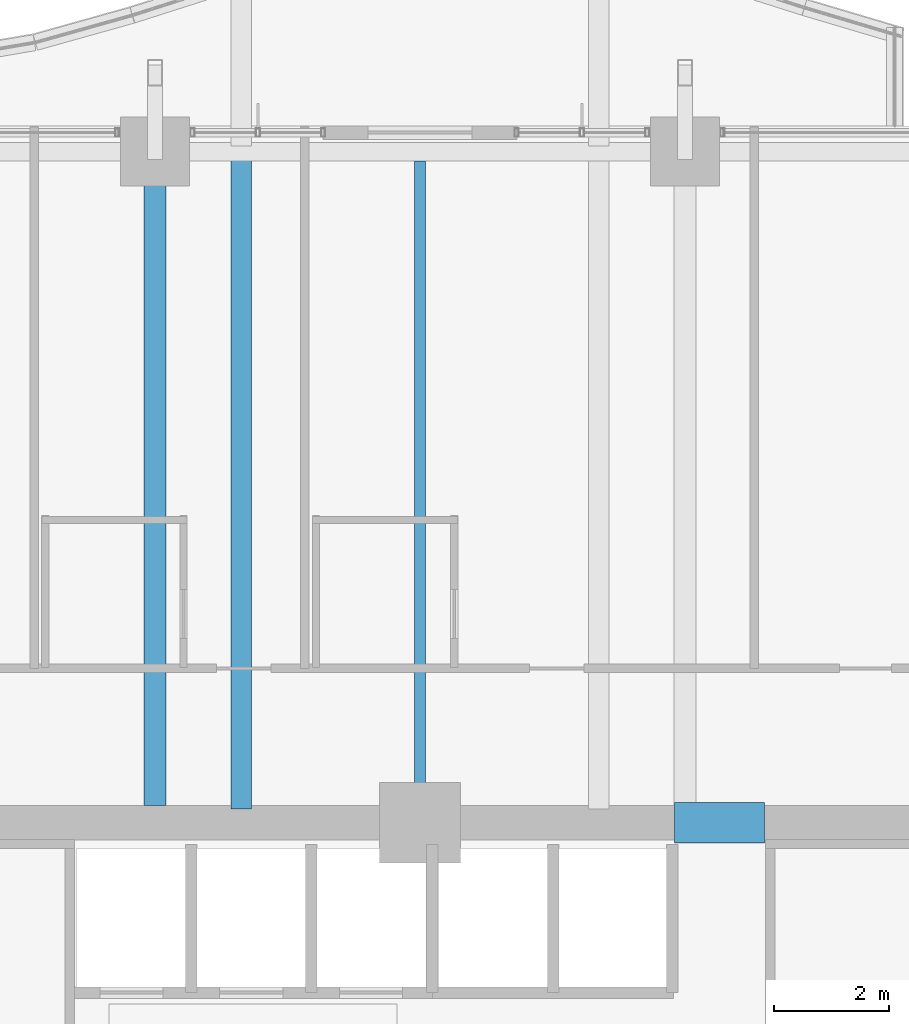
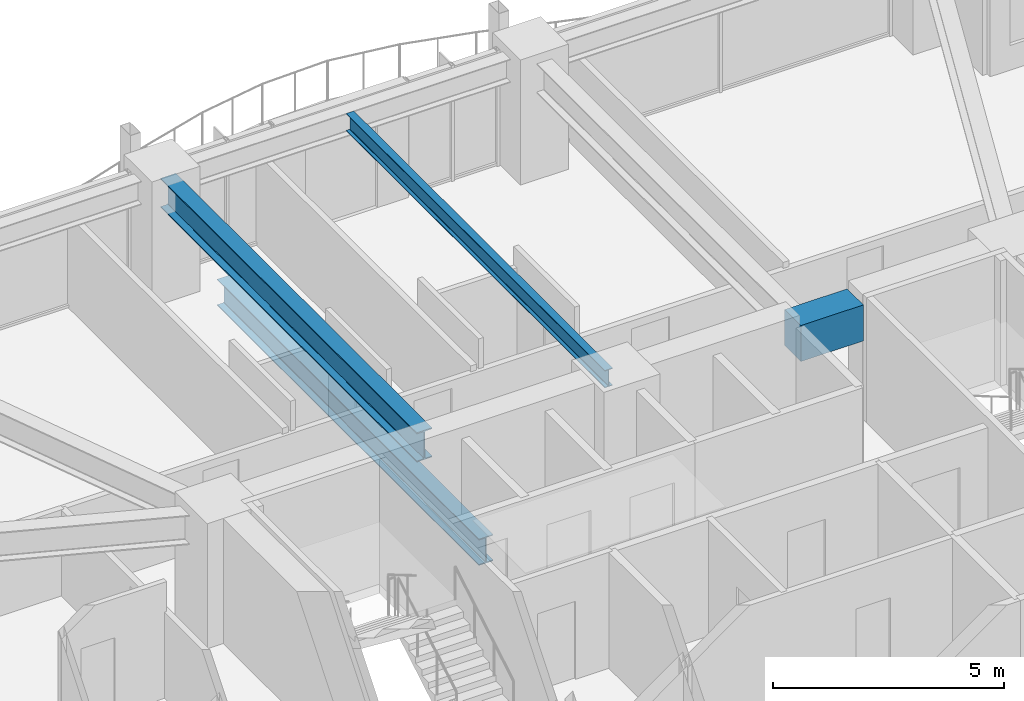
# One storey, part 19 of 38: 4 beams.
"""IFC4 building model written with IfcOpenShell, lengths in metres."""

import ifcopenshell
import ifcopenshell.guid

model = None  # the IFC model being written
_history = None  # IfcOwnerHistory: only IFC2X3 demands one
_inside = {}  # id of a spatial element -> (the spatial element, [elements in it])
_under = {}  # id of a project, library or spatial element -> (it, [spatial elements below it])
_declared = {}  # id of a project -> (the project, [libraries it declares])
_typed = {}  # id of a type object -> (the type object, [elements of that type])
_made_of = {}  # id of a material, layer set ... -> (it, [elements and type objects made of it])


def new_model(schema):
    """Start an empty IFC model of exactly this schema.

    Asked for "IFC4X3", IfcOpenShell would pick the latest addendum, in which some entities
    have other attributes; the version numbers below select the first issue.
    IFC2X3 requires an IfcOwnerHistory on every rooted entity: one is made here for all.
    """
    global model, _history
    if schema == "IFC4X3":
        model = ifcopenshell.file(schema_version=(4, 3, 0, 0))
    else:
        model = ifcopenshell.file(schema=schema)
    _inside.clear()
    _under.clear()
    _declared.clear()
    _typed.clear()
    _made_of.clear()
    _history = None
    if model.schema == "IFC2X3":
        org = make("IfcOrganization", Name="unknown")
        user = make(
            "IfcPersonAndOrganization",
            ThePerson=make("IfcPerson", FamilyName="unknown"),
            TheOrganization=org,
        )
        app = make(
            "IfcApplication",
            ApplicationDeveloper=org,
            Version="unknown",
            ApplicationFullName="unknown",
            ApplicationIdentifier="unknown",
        )
        _history = make(
            "IfcOwnerHistory",
            OwningUser=user,
            OwningApplication=app,
            ChangeAction="ADDED",
            CreationDate=0,
        )
    return model


def make(cls, **values):
    """One entity of the class cls with the attributes given. An attribute that is None is left unset."""
    return model.create_entity(
        cls, **{name: value for name, value in values.items() if value is not None}
    )


def rooted(cls, **values):
    """An entity with a GlobalId (a new one), such as an element, a storey or a relation."""
    return make(cls, GlobalId=ifcopenshell.guid.new(), OwnerHistory=_history, **values)


def si_unit(unit_type, name, prefix=None):
    """IfcSIUnit, for example si_unit("LENGTHUNIT", "METRE", prefix="MILLI")."""
    return make("IfcSIUnit", UnitType=unit_type, Prefix=prefix, Name=name)


def assignment(units):
    """IfcUnitAssignment: the units of a project."""
    return None if units is None else make("IfcUnitAssignment", Units=units)


def point(xyz):
    """IfcCartesianPoint."""
    return None if xyz is None else make("IfcCartesianPoint", Coordinates=xyz)


def direction(xyz):
    """IfcDirection."""
    return None if xyz is None else make("IfcDirection", DirectionRatios=xyz)


def frame(location, z_axis=None, x_axis=None):
    """IfcAxis2Placement3D, a coordinate frame: its origin and axes. An axis left out is left unset."""
    return make(
        "IfcAxis2Placement3D",
        Location=point(location),
        Axis=direction(z_axis),
        RefDirection=direction(x_axis),
    )


def frame_2d(location, x_axis=None):
    """IfcAxis2Placement2D, a coordinate frame in the plane: its origin and x axis."""
    return make(
        "IfcAxis2Placement2D", Location=point(location), RefDirection=direction(x_axis)
    )


def origin():
    """The frame at (0, 0, 0) with its axes left unset."""
    return frame((0.0, 0.0, 0.0))


def origin_2d():
    """The frame at (0, 0) in the plane with its x axis left unset."""
    return frame_2d((0.0, 0.0))


def place(relative_to, where):
    """IfcLocalPlacement: puts the frame where relative to a parent placement (None: the world)."""
    return make(
        "IfcLocalPlacement", PlacementRelTo=relative_to, RelativePlacement=where
    )


def context(
    kind, dimensions, precision=None, world=None, true_north=None, identifier=None
):
    """IfcGeometricRepresentationContext, for example the 3D "Model" context."""
    return make(
        "IfcGeometricRepresentationContext",
        ContextIdentifier=identifier,
        ContextType=kind,
        CoordinateSpaceDimension=dimensions,
        Precision=precision,
        WorldCoordinateSystem=world,
        TrueNorth=true_north,
    )


def subcontext(parent, identifier, kind, view, scale=None):
    """IfcGeometricRepresentationSubContext, for example "Body" below "Model"."""
    return make(
        "IfcGeometricRepresentationSubContext",
        ContextIdentifier=identifier,
        ContextType=kind,
        ParentContext=parent,
        TargetScale=scale,
        TargetView=view,
    )


def project(units=None, contexts=None):
    """IfcProject with its units and contexts."""
    return rooted(
        "IfcProject",
        Name="project",
        RepresentationContexts=contexts,
        UnitsInContext=assignment(units),
    )


def spatial(cls, under=None, at=None, **own):
    """A site, building, storey or space (cls), placed at a placement, below another one or the project."""
    s = rooted(cls, ObjectPlacement=at, **own)
    if under is not None:
        _under.setdefault(under.id(), (under, []))[1].append(s)
    return s


def profile(cls, at=None, kind="AREA", **sizes):
    """A parametric profile (cls). Its sizes go by their IFC names, for example OverallWidth=200.0."""
    return make(cls, ProfileType=kind, Position=at, **sizes)


def rectangle(**sizes):
    """IfcRectangleProfileDef."""
    return profile("IfcRectangleProfileDef", **sizes)


def i_section(**sizes):
    """IfcIShapeProfileDef."""
    return profile("IfcIShapeProfileDef", **sizes)


def extrude(swept, where, along, depth):
    """IfcExtrudedAreaSolid: the profile swept, set in the frame where, extruded along a direction by depth."""
    return make(
        "IfcExtrudedAreaSolid",
        SweptArea=swept,
        Position=where,
        ExtrudedDirection=direction(along),
        Depth=depth,
    )


def shape(context_of_items, identifier, shape_type, items):
    """IfcShapeRepresentation: the items that make up one representation, for example the "Body"."""
    return make(
        "IfcShapeRepresentation",
        ContextOfItems=context_of_items,
        RepresentationIdentifier=identifier,
        RepresentationType=shape_type,
        Items=items,
    )


def material(Name=None, Category=None):
    """IfcMaterial."""
    return make("IfcMaterial", Name=Name, Category=Category)


def material_profile(
    of_material, cross_section, Name=None, Category=None, Priority=None
):
    """IfcMaterialProfile: a cross section and its material."""
    return make(
        "IfcMaterialProfile",
        Name=Name,
        Material=of_material,
        Profile=cross_section,
        Priority=Priority,
        Category=Category,
    )


def profile_set(profiles, Name=None, composite=None):
    """IfcMaterialProfileSet."""
    return make(
        "IfcMaterialProfileSet",
        Name=Name,
        MaterialProfiles=profiles,
        CompositeProfile=composite,
    )


def made_of(thing, what):
    """Note that an element or type object is made of a material, layer set ...; save() writes the relation."""
    if what is not None:
        _made_of.setdefault(what.id(), (what, []))[1].append(thing)
    return thing


def type_object(cls, material=None, **own):
    """A type object (cls), such as IfcWallType, which elements share."""
    return made_of(rooted(cls, **own), material)


def element(
    cls,
    number,
    at=None,
    inside=None,
    cuts=None,
    type_object=None,
    material=None,
    context=None,
    identifier="Body",
    shape_type=None,
    held_by="IfcProductDefinitionShape",
    body=None,
    shapes=None,
    **own,
):
    """One element of the class cls, such as IfcWall. Its Tag is "e" and its number.

    at: its placement. inside: the storey or other place that contains it. cuts: it is an
    opening in that element (IfcRelVoidsElement). A single representation is given by context,
    identifier, shape_type and body (its items); several are given by shapes. held_by: the class
    of the entity that holds the representations. save() writes the other relations.
    """
    e = rooted(cls, Tag="e%d" % number, ObjectPlacement=at, **own)
    if body is not None:
        shapes = [shape(context, identifier, shape_type, body)]
    if shapes is not None:
        e.Representation = make(held_by, Representations=shapes)
    if inside is not None:
        _inside.setdefault(inside.id(), (inside, []))[1].append(e)
    if cuts is not None:
        rooted(
            "IfcRelVoidsElement", RelatingBuildingElement=cuts, RelatedOpeningElement=e
        )
    if type_object is not None:
        _typed.setdefault(type_object.id(), (type_object, []))[1].append(e)
    return made_of(e, material)


def aggregate(whole, parts):
    """IfcRelAggregates: a whole, such as a stair, and the parts it consists of."""
    return rooted("IfcRelAggregates", RelatingObject=whole, RelatedObjects=parts)


def save(model, path):
    """Write the relations noted so far, then the file.

    IfcRelAggregates (storeys below a building ...), IfcRelContainedInSpatialStructure (elements
    in a storey), IfcRelDefinesByType, IfcRelAssociatesMaterial and IfcRelDeclares: one each for
    every whole, place, type object, material and project.
    """
    for whole, parts in _under.values():
        aggregate(whole, parts)
    for where, things in _inside.values():
        rooted(
            "IfcRelContainedInSpatialStructure",
            RelatedElements=things,
            RelatingStructure=where,
        )
    for kind, things in _typed.values():
        rooted("IfcRelDefinesByType", RelatedObjects=things, RelatingType=kind)
    for what, things in _made_of.values():
        rooted("IfcRelAssociatesMaterial", RelatedObjects=things, RelatingMaterial=what)
    for by, libraries in _declared.values():
        rooted("IfcRelDeclares", RelatingContext=by, RelatedDefinitions=libraries)
    model.write(path)


model = new_model("IFC4")

# Units and contexts
model_context = context("Model", 3, precision=1e-05, world=origin(), true_north=direction((0.0, 1.0)))
body_context = subcontext(model_context, "Body", "Model", "MODEL_VIEW")
ifc_project = project(units=[si_unit("LENGTHUNIT", "METRE"), si_unit("AREAUNIT", "SQUARE_METRE"), si_unit("VOLUMEUNIT", "CUBIC_METRE"), si_unit("PLANEANGLEUNIT", "RADIAN"), si_unit("MASSUNIT", "GRAM", prefix="KILO")], contexts=[model_context])

# Site, building, storey
site_placement = place(None, origin())
site = spatial("IfcSite", under=ifc_project, at=site_placement, CompositionType="ELEMENT")
building_placement = place(site_placement, origin())
building = spatial("IfcBuilding", under=site, at=building_placement, Name="Kolvaren Belvedere", CompositionType="ELEMENT")
storey_placement = place(building_placement, frame((0.0, 0.0, 50.199951171875)))
storey = spatial("IfcBuildingStorey", under=building, at=storey_placement, Name="L14", CompositionType="ELEMENT", Elevation=50.199951171875)

# Beams
ifc_material_1 = material(Name="Structural steel ASTM A992 Grade 50", Category="steel")
ifc_material_profile_1 = material_profile(ifc_material_1, i_section(OverallWidth=0.35498046875, OverallDepth=0.696044921875, WebThickness=0.015380859375, FlangeThickness=0.02490234375, FilletRadius=0.02197265625, at=origin_2d()), Name="W27X146")
ifc_profile_set_1 = profile_set([ifc_material_profile_1], Name="Structural steel ASTM A992 Grade 50")
beam_type_1 = type_object("IfcBeamType", Name="BM-GIRD-W27X146", PredefinedType="BEAM", material=ifc_profile_set_1)
beam_1_placement = place(storey_placement, frame((-3.10009765625, 10.139892578125, -0.587890625), z_axis=(0.0, 1.0, 0.0), x_axis=(-1.0, 0.0, 0.0)))
element("IfcBeam", 1, at=beam_1_placement, inside=storey, type_object=beam_type_1, Name="L14 Balcony Interior Back-Span Girder BAL-N-1", PredefinedType="BEAM", context=body_context, shape_type="SweptSolid", body=[
    extrude(i_section(OverallWidth=0.35498046875, OverallDepth=0.696044921875, WebThickness=0.015380859375, FlangeThickness=0.02490234375, FilletRadius=0.02197265625, at=origin_2d()), origin(), (0.0, 0.0, 1.0), 11.315185546875),
])
ifc_material_2 = material(Name="Structural steel ASTM A992 Grade 50", Category="steel")
ifc_material_profile_2 = material_profile(ifc_material_2, i_section(OverallWidth=0.381103515625, OverallDepth=0.77294921875, WebThickness=0.0166015625, FlangeThickness=0.027099609375, FilletRadius=0.02392578125, at=origin_2d()), Name="W30X173")
ifc_profile_set_2 = profile_set([ifc_material_profile_2], Name="Structural steel ASTM A992 Grade 50")
beam_type_2 = type_object("IfcBeamType", Name="BM-GIRD-W30X173", PredefinedType="BEAM", material=ifc_profile_set_2)
beam_2_placement = place(storey_placement, frame((-4.60009765625, 10.199951171875, 2.673583984375), z_axis=(0.0, 1.0, 0.0), x_axis=(-1.0, 0.0, 0.0)))
element("IfcBeam", 2, at=beam_2_placement, inside=storey, type_object=beam_type_2, Name="L14 North Radial Girder M", PredefinedType="BEAM", context=body_context, shape_type="SweptSolid", body=[
    extrude(i_section(OverallWidth=0.381103515625, OverallDepth=0.77294921875, WebThickness=0.0166015625, FlangeThickness=0.027099609375, FilletRadius=0.02392578125, at=origin_2d()), origin(), (0.0, 0.0, 1.0), 11.080078125),
])
ifc_material_3 = material(Name="Structural steel ASTM A992 Grade 50", Category="steel")
ifc_material_profile_3 = material_profile(ifc_material_3, i_section(OverallWidth=0.19091796875, OverallDepth=0.4599609375, WebThickness=0.010009765625, FlangeThickness=0.01611328125, FilletRadius=0.014892578125, at=origin_2d()), Name="W18X55")
ifc_profile_set_3 = profile_set([ifc_material_profile_3], Name="Structural steel ASTM A992 Grade 50")
beam_type_3 = type_object("IfcBeamType", Name="BM-JOIST-W18X55", PredefinedType="BEAM", material=ifc_profile_set_3)
beam_3_placement = place(storey_placement, frame((0.0, 10.199951171875, 2.830078125), z_axis=(0.0, 1.0, 0.0), x_axis=(-1.0, 0.0, 0.0)))
element("IfcBeam", 3, at=beam_3_placement, inside=storey, type_object=beam_type_3, Name="L14 North Centre Floor Beam", PredefinedType="BEAM", context=body_context, shape_type="SweptSolid", body=[
    extrude(i_section(OverallWidth=0.19091796875, OverallDepth=0.4599609375, WebThickness=0.010009765625, FlangeThickness=0.01611328125, FilletRadius=0.014892578125, at=origin_2d()), origin(), (0.0, 0.0, 1.0), 11.1875),
])
ifc_material_4 = material(Name="Concrete C60/75", Category="concrete")
ifc_material_profile_4 = material_profile(ifc_material_4, rectangle(XDim=0.699951171875, YDim=0.949951171875, at=origin_2d()), Name="RC 700X950")
ifc_profile_set_4 = profile_set([ifc_material_profile_4], Name="Concrete C60/75")
beam_type_4 = type_object("IfcBeamType", Name="BM-LINT-950", PredefinedType="LINTEL", material=ifc_profile_set_4)
beam_4_placement = place(storey_placement, frame((4.419921875, 9.89990234375, 2.5849609375), z_axis=(1.0, 0.0, 0.0), x_axis=(0.0, 1.0, 0.0)))
element("IfcBeam", 4, at=beam_4_placement, inside=storey, type_object=beam_type_4, Name="L14 North Core Coupling Lintel", PredefinedType="LINTEL", context=body_context, shape_type="SweptSolid", body=[
    extrude(rectangle(XDim=0.699951171875, YDim=0.949951171875, at=origin_2d()), origin(), (0.0, 0.0, 1.0), 1.56005859375),
])

save(model, "model.ifc")
